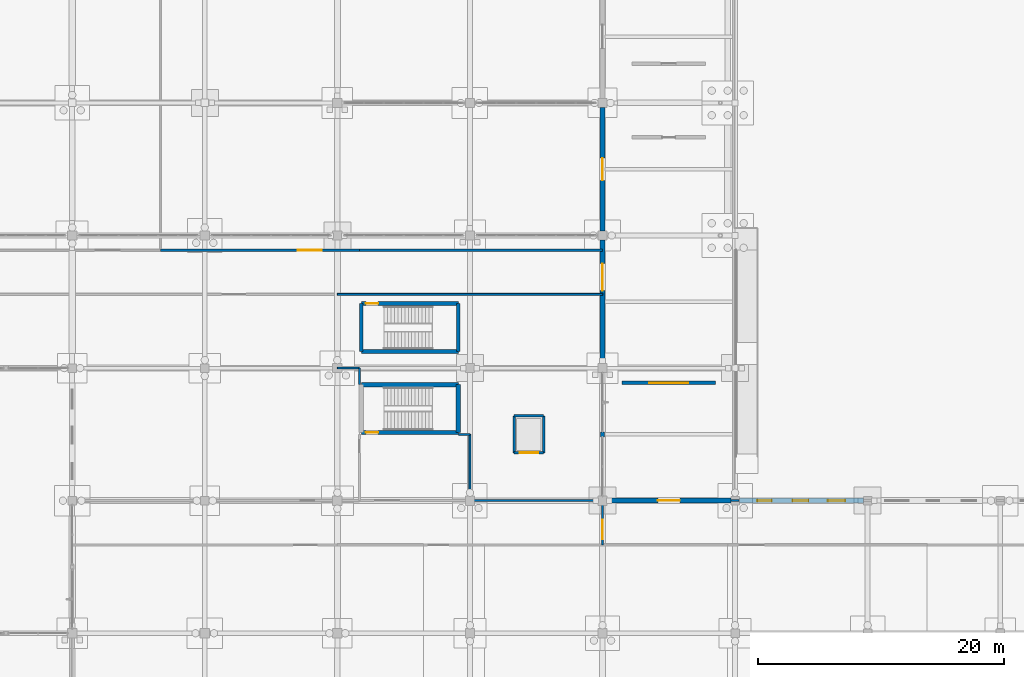
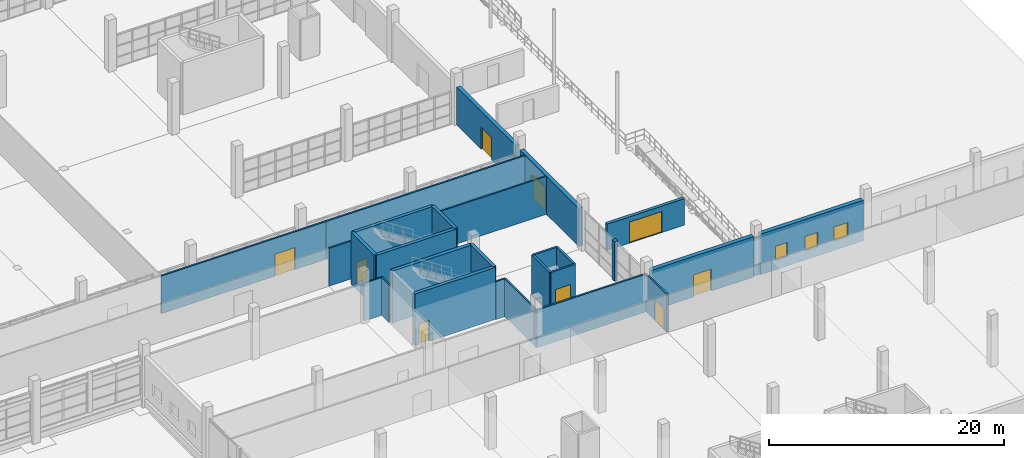
# One storey, part 110 of 138: 27 walls, 9 doors, 3 windows, 12 openings.
"""IFC4 building model written with IfcOpenShell, lengths in metres."""

from ifc_helpers import new_model, si_unit, direction, frame, frame_2d, origin, place, context, subcontext, project, spatial, rectangle, extrude, material, layer, layer_set, type_object, element, fill, save


model = new_model("IFC4")

# Units and contexts
model_context = context("Model", 3, precision=1e-05, world=origin(), true_north=direction((0.0, 1.0)))
body_context = subcontext(model_context, "Body", "Model", "MODEL_VIEW")
ifc_project = project(units=[si_unit("LENGTHUNIT", "METRE"), si_unit("AREAUNIT", "SQUARE_METRE"), si_unit("VOLUMEUNIT", "CUBIC_METRE"), si_unit("PLANEANGLEUNIT", "RADIAN"), si_unit("MASSUNIT", "GRAM", prefix="KILO")], contexts=[model_context])

# Site, building, storey
site_placement = place(None, origin())
site = spatial("IfcSite", under=ifc_project, at=site_placement, CompositionType="ELEMENT")
building_placement = place(site_placement, origin())
building = spatial("IfcBuilding", under=site, at=building_placement, Name="Zwinboog Wholesale Market", CompositionType="ELEMENT")
storey_placement = place(building_placement, origin())
storey = spatial("IfcBuildingStorey", under=building, at=storey_placement, Name="L00", CompositionType="ELEMENT", Elevation=0.0)

# Wall, opening, door
ifc_material_1 = material(Name="Precast concrete C45/55", Category="concrete")
ifc_layer_1 = layer(ifc_material_1, 0.3701171875)
ifc_layer_set_1 = layer_set([ifc_layer_1], Name="Precast concrete C45/55")
wall_type_1 = type_object("IfcWallType", Name="WT-EW-370", PredefinedType="STANDARD", material=ifc_layer_set_1)
wall_1_placement = place(storey_placement, frame((172.800048828125, 54.3701171875, 0.0), z_axis=(0.0, 0.0, 1.0), x_axis=(0.0, 1.0, 0.0)))
wall_1 = element("IfcWall", 1, at=wall_1_placement, inside=storey, type_object=wall_type_1, Name="EW-01 (WL-EW-L00-062)", PredefinedType="STANDARD", context=body_context, shape_type="SweptSolid", body=[
    extrude(rectangle(XDim=10.059814453125, YDim=0.3701171875, at=frame_2d((5.02978515625, 0.0))), origin(), (0.0, 0.0, 1.0), 3.97509765625),
])
opening_1_placement = place(wall_1_placement, frame((4.1298828125, 0.0, 0.0)))
opening_1 = element("IfcOpeningElement", 2, at=opening_1_placement, cuts=wall_1, Name="Opening EX-12", PredefinedType="OPENING", context=body_context, shape_type="SweptSolid", body=[
    extrude(rectangle(XDim=1.800048828125, YDim=2.300048828125, at=frame_2d((0.89990234375, 1.14990234375))), frame((0.0, 0.195068359375, 0.0), z_axis=(0.0, -1.0, 0.0), x_axis=(1.0, 0.0, 0.0)), (0.0, 0.0, 1.0), 0.39013671875),
])
ifc_material_2 = material(Name="Insulated powder-coated steel and aluminium door", Category="steel")
door_type_1 = type_object("IfcDoorType", Name="EDT-EX-180", OperationType="DOUBLE_DOOR_SINGLE_SWING", PredefinedType="DOOR", material=ifc_material_2)
door_1_placement = place(opening_1_placement, frame((1.800048828125, 0.0, 0.0), z_axis=(0.0, 0.0, 1.0), x_axis=(-1.0, 0.0, 0.0)))
door_1 = element("IfcDoor", 3, at=door_1_placement, inside=storey, type_object=door_type_1, Name="Pedestrian Exit Door EX-12", OperationType="DOUBLE_DOOR_SINGLE_SWING", OverallHeight=2.300048828125, OverallWidth=1.800048828125, PredefinedType="DOOR", context=body_context, shape_type="SweptSolid", body=[
    extrude(rectangle(XDim=1.800048828125, YDim=2.300048828125, at=frame_2d((0.89990234375, 1.14990234375))), frame((0.0, 0.02490234375, 0.0), z_axis=(0.0, -1.0, 0.0), x_axis=(1.0, 0.0, 0.0)), (0.0, 0.0, 1.0), 0.050048828125),
])
fill(opening_1, door_1)

ifc_layer_2 = layer(ifc_material_1, 0.389892578125)
ifc_layer_set_2 = layer_set([ifc_layer_2], Name="Precast concrete C45/55")
wall_type_2 = type_object("IfcWallType", Name="WT-EW-390", PredefinedType="STANDARD", material=ifc_layer_set_2)
wall_2_placement = place(storey_placement, frame((172.800048828125, 43.570068359375, 0.0), z_axis=(0.0, 0.0, 1.0), x_axis=(0.0, 1.0, 0.0)))
wall_2 = element("IfcWall", 4, at=wall_2_placement, inside=storey, type_object=wall_type_2, Name="EW-02 (WL-EW-L00-061)", PredefinedType="STANDARD", context=body_context, shape_type="SweptSolid", body=[
    extrude(rectangle(XDim=10.059814453125, YDim=0.389892578125, at=frame_2d((5.02978515625, 0.0))), origin(), (0.0, 0.0, 1.0), 3.97509765625),
])
opening_2_placement = place(wall_2_placement, frame((5.947021484375, 0.0, 0.0)))
opening_2 = element("IfcOpeningElement", 5, at=opening_2_placement, cuts=wall_2, Name="Opening EX-11", PredefinedType="OPENING", context=body_context, shape_type="SweptSolid", body=[
    extrude(rectangle(XDim=2.199951171875, YDim=2.47998046875, at=frame_2d((1.10009765625, 1.239990234375))), frame((0.0, 0.204833984375, 0.0), z_axis=(0.0, -1.0, 0.0), x_axis=(1.0, 0.0, 0.0)), (0.0, 0.0, 1.0), 0.409912109375),
])
door_type_2 = type_object("IfcDoorType", Name="EDT-EX-220", OperationType="DOUBLE_DOOR_SINGLE_SWING", PredefinedType="DOOR", material=ifc_material_2)
door_2_placement = place(opening_2_placement, frame((2.199951171875, 0.0, 0.0), z_axis=(0.0, 0.0, 1.0), x_axis=(-1.0, 0.0, 0.0)))
door_2 = element("IfcDoor", 6, at=door_2_placement, inside=storey, type_object=door_type_2, Name="Pedestrian Exit Door EX-11", OperationType="DOUBLE_DOOR_SINGLE_SWING", OverallHeight=2.47998046875, OverallWidth=2.199951171875, PredefinedType="DOOR", context=body_context, shape_type="SweptSolid", body=[
    extrude(rectangle(XDim=2.199951171875, YDim=2.47998046875, at=frame_2d((1.10009765625, 1.239990234375))), frame((0.0, 0.02490234375, 0.0), z_axis=(0.0, -1.0, 0.0), x_axis=(1.0, 0.0, 0.0)), (0.0, 0.0, 1.0), 0.050048828125),
])
fill(opening_2, door_2)

ifc_layer_3 = layer(ifc_material_1, 0.409912109375)
ifc_layer_set_3 = layer_set([ifc_layer_3], Name="Precast concrete C45/55")
wall_type_3 = type_object("IfcWallType", Name="WT-EW-410", PredefinedType="STANDARD", material=ifc_layer_set_3)
wall_3_placement = place(storey_placement, frame((173.169921875, 32.39990234375, 0.0), z_axis=(0.0, 0.0, 1.0), x_axis=(1.0, 0.0, 0.0)))
wall_3 = element("IfcWall", 7, at=wall_3_placement, inside=storey, type_object=wall_type_3, Name="EW-03 (WL-EW-L00-068)", PredefinedType="STANDARD", context=body_context, shape_type="SweptSolid", body=[
    extrude(rectangle(XDim=10.0849609375, YDim=0.409912109375, at=frame_2d((5.04248046875, 0.0))), origin(), (0.0, 0.0, 1.0), 4.22509765625),
])
opening_3_placement = place(wall_3_placement, frame((4.142578125, 0.0, 0.0)))
opening_3 = element("IfcOpeningElement", 8, at=opening_3_placement, cuts=wall_3, Name="Opening EX-16", PredefinedType="OPENING", context=body_context, shape_type="SweptSolid", body=[
    extrude(rectangle(XDim=1.800048828125, YDim=2.300048828125, at=frame_2d((0.89990234375, 1.14990234375))), frame((0.0, 0.21484375, 0.0), z_axis=(0.0, -1.0, 0.0), x_axis=(1.0, 0.0, 0.0)), (0.0, 0.0, 1.0), 0.429931640625),
])
door_3_placement = place(opening_3_placement, origin())
door_3 = element("IfcDoor", 9, at=door_3_placement, inside=storey, type_object=door_type_1, Name="Pedestrian Exit Door EX-16", OperationType="DOUBLE_DOOR_SINGLE_SWING", OverallHeight=2.300048828125, OverallWidth=1.800048828125, PredefinedType="DOOR", context=body_context, shape_type="SweptSolid", body=[
    extrude(rectangle(XDim=1.800048828125, YDim=2.300048828125, at=frame_2d((0.89990234375, 1.14990234375))), frame((0.0, 0.02490234375, 0.0), z_axis=(0.0, -1.0, 0.0), x_axis=(1.0, 0.0, 0.0)), (0.0, 0.0, 1.0), 0.050048828125),
])
fill(opening_3, door_3)

# Wall, openings, windows
wall_4_placement = place(storey_placement, frame((183.945068359375, 32.39990234375, 0.0), z_axis=(0.0, 0.0, 1.0), x_axis=(1.0, 0.0, 0.0)))
wall_4 = element("IfcWall", 10, at=wall_4_placement, inside=storey, type_object=wall_type_3, Name="EW-03 (WL-EW-L00-072)", PredefinedType="STANDARD", context=body_context, shape_type="SweptSolid", body=[
    extrude(rectangle(XDim=10.10986328125, YDim=0.409912109375, at=frame_2d((5.054931640625, 0.0))), origin(), (0.0, 0.0, 1.0), 4.22509765625),
])
opening_4_placement = place(wall_4_placement, frame((1.465087890625, 0.0, 0.949951171875)))
opening_4 = element("IfcOpeningElement", 11, at=opening_4_placement, cuts=wall_4, Name="Opening WN-34", PredefinedType="OPENING", context=body_context, shape_type="SweptSolid", body=[
    extrude(rectangle(XDim=1.169921875, YDim=1.5, at=frame_2d((0.5849609375, 0.75))), frame((0.0, 0.21484375, 0.0), z_axis=(0.0, -1.0, 0.0), x_axis=(1.0, 0.0, 0.0)), (0.0, 0.0, 1.0), 0.429931640625),
])
opening_5_placement = place(wall_4_placement, frame((4.3349609375, 0.0, 0.949951171875)))
opening_5 = element("IfcOpeningElement", 12, at=opening_5_placement, cuts=wall_4, Name="Opening WN-35", PredefinedType="OPENING", context=body_context, shape_type="SweptSolid", body=[
    extrude(rectangle(XDim=1.2900390625, YDim=1.5, at=frame_2d((0.64501953125, 0.75))), frame((0.0, 0.21484375, 0.0), z_axis=(0.0, -1.0, 0.0), x_axis=(1.0, 0.0, 0.0)), (0.0, 0.0, 1.0), 0.429931640625),
])
opening_6_placement = place(wall_4_placement, frame((7.205078125, 0.0, 0.949951171875)))
opening_6 = element("IfcOpeningElement", 13, at=opening_6_placement, cuts=wall_4, Name="Opening WN-36", PredefinedType="OPENING", context=body_context, shape_type="SweptSolid", body=[
    extrude(rectangle(XDim=1.409912109375, YDim=1.5, at=frame_2d((0.705078125, 0.75))), frame((0.0, 0.21484375, 0.0), z_axis=(0.0, -1.0, 0.0), x_axis=(1.0, 0.0, 0.0)), (0.0, 0.0, 1.0), 0.429931640625),
])
ifc_material_3 = material(Name="Thermally broken aluminium low-e window", Category="aluminium")
window_type_1 = type_object("IfcWindowType", Name="WNT-34", PartitioningType="SINGLE_PANEL", PredefinedType="WINDOW", material=ifc_material_3)
window_1_placement = place(opening_4_placement, origin())
window_1 = element("IfcWindow", 14, at=window_1_placement, inside=storey, type_object=window_type_1, Name="WN-34 (WIN-L00-0034)", OverallHeight=1.5, OverallWidth=1.169921875, PartitioningType="SINGLE_PANEL", PredefinedType="WINDOW", context=body_context, shape_type="SweptSolid", body=[
    extrude(rectangle(XDim=1.169921875, YDim=1.5, at=frame_2d((0.5849609375, 0.75))), frame((0.0, 0.030029296875, 0.0), z_axis=(0.0, -1.0, 0.0), x_axis=(1.0, 0.0, 0.0)), (0.0, 0.0, 1.0), 0.06005859375),
])
fill(opening_4, window_1)
window_type_2 = type_object("IfcWindowType", Name="WNT-35", PartitioningType="SINGLE_PANEL", PredefinedType="WINDOW", material=ifc_material_3)
window_2_placement = place(opening_5_placement, origin())
window_2 = element("IfcWindow", 15, at=window_2_placement, inside=storey, type_object=window_type_2, Name="WN-35 (WIN-L00-0035)", OverallHeight=1.5, OverallWidth=1.2900390625, PartitioningType="SINGLE_PANEL", PredefinedType="WINDOW", context=body_context, shape_type="SweptSolid", body=[
    extrude(rectangle(XDim=1.2900390625, YDim=1.5, at=frame_2d((0.64501953125, 0.75))), frame((0.0, 0.030029296875, 0.0), z_axis=(0.0, -1.0, 0.0), x_axis=(1.0, 0.0, 0.0)), (0.0, 0.0, 1.0), 0.06005859375),
])
fill(opening_5, window_2)
window_type_3 = type_object("IfcWindowType", Name="WNT-36", PartitioningType="SINGLE_PANEL", PredefinedType="WINDOW", material=ifc_material_3)
window_3_placement = place(opening_6_placement, origin())
window_3 = element("IfcWindow", 16, at=window_3_placement, inside=storey, type_object=window_type_3, Name="WN-36 (WIN-L00-0036)", OverallHeight=1.5, OverallWidth=1.409912109375, PartitioningType="SINGLE_PANEL", PredefinedType="WINDOW", context=body_context, shape_type="SweptSolid", body=[
    extrude(rectangle(XDim=1.409912109375, YDim=1.5, at=frame_2d((0.705078125, 0.75))), frame((0.0, 0.030029296875, 0.0), z_axis=(0.0, -1.0, 0.0), x_axis=(1.0, 0.0, 0.0)), (0.0, 0.0, 1.0), 0.06005859375),
])
fill(opening_6, window_3)

# Wall
ifc_layer_4 = layer(ifc_material_1, 0.304931640625)
ifc_layer_set_4 = layer_set([ifc_layer_4], Name="Precast concrete C45/55")
wall_type_4 = type_object("IfcWallType", Name="WT-EW-305", PredefinedType="STANDARD", material=ifc_layer_set_4)
wall_5_placement = place(storey_placement, frame((172.800048828125, 37.60009765625, 0.0), z_axis=(0.0, 0.0, 1.0), x_axis=(0.0, 1.0, 0.0)))
element("IfcWall", 17, at=wall_5_placement, inside=storey, type_object=wall_type_4, Name="EW-07 (WL-PIER-L00-060)", PredefinedType="STANDARD", context=body_context, shape_type="SweptSolid", body=[
    extrude(rectangle(XDim=0.39990234375, YDim=0.304931640625, at=frame_2d((0.199951171875, 0.0))), origin(), (0.0, 0.0, 1.0), 4.125),
])

# Wall, opening, door
wall_6_placement = place(storey_placement, frame((174.39990234375, 42.0, 0.0), z_axis=(0.0, 0.0, 1.0), x_axis=(1.0, 0.0, 0.0)))
wall_6 = element("IfcWall", 18, at=wall_6_placement, inside=storey, type_object=wall_type_4, Name="EW-07 (WL-YGT-04)", PredefinedType="STANDARD", context=body_context, shape_type="SweptSolid", body=[
    extrude(rectangle(XDim=7.60009765625, YDim=0.304931640625, at=frame_2d((3.800048828125, 0.0))), origin(), (0.0, 0.0, 1.0), 2.75),
])
opening_7_placement = place(wall_6_placement, frame((2.199951171875, 0.0, 0.0)))
opening_7 = element("IfcOpeningElement", 19, at=opening_7_placement, cuts=wall_6, Name="Opening GT-04", PredefinedType="OPENING", context=body_context, shape_type="SweptSolid", body=[
    extrude(rectangle(XDim=3.199951171875, YDim=2.199951171875, at=frame_2d((1.60009765625, 1.10009765625))), frame((0.0, 0.162353515625, 0.0), z_axis=(0.0, -1.0, 0.0), x_axis=(1.0, 0.0, 0.0)), (0.0, 0.0, 1.0), 0.324951171875),
])
door_type_3 = type_object("IfcDoorType", Name="EDT-GT-320", OperationType="DOUBLE_DOOR_SINGLE_SWING", PredefinedType="GATE", material=ifc_material_2)
door_4_placement = place(opening_7_placement, origin())
door_4 = element("IfcDoor", 20, at=door_4_placement, inside=storey, type_object=door_type_3, Name="Forecourt Arrival Gate GT-04", OperationType="DOUBLE_DOOR_SINGLE_SWING", OverallHeight=2.199951171875, OverallWidth=3.199951171875, PredefinedType="GATE", context=body_context, shape_type="SweptSolid", body=[
    extrude(rectangle(XDim=3.199951171875, YDim=2.199951171875, at=frame_2d((1.60009765625, 1.10009765625))), frame((0.0, 0.02490234375, 0.0), z_axis=(0.0, -1.0, 0.0), x_axis=(1.0, 0.0, 0.0)), (0.0, 0.0, 1.0), 0.050048828125),
])
fill(opening_7, door_4)

# Wall
ifc_material_4 = material(Name="Concrete C40/50", Category="concrete")
ifc_layer_5 = layer(ifc_material_4, 0.320068359375)
ifc_layer_set_5 = layer_set([ifc_layer_5], Name="Concrete C40/50")
wall_type_5 = type_object("IfcWallType", Name="WT-SW-320", PredefinedType="SHEAR", material=ifc_layer_set_5)
wall_7_placement = place(storey_placement, frame((153.14990234375, 44.550048828125, 0.0), z_axis=(0.0, 0.0, 1.0), x_axis=(1.0, 0.0, 0.0)))
element("IfcWall", 21, at=wall_7_placement, inside=storey, type_object=wall_type_5, Name="SW-03 (WL-SW-L00-153)", PredefinedType="SHEAR", context=body_context, shape_type="SweptSolid", body=[
    extrude(rectangle(XDim=7.900146484375, YDim=0.320068359375, at=frame_2d((3.9501953125, 0.0))), origin(), (0.0, 0.0, 1.0), 5.39990234375),
])

# Wall, opening, door
wall_8_placement = place(storey_placement, frame((153.14990234375, 48.449951171875, 0.0), z_axis=(0.0, 0.0, 1.0), x_axis=(1.0, 0.0, 0.0)))
wall_8 = element("IfcWall", 22, at=wall_8_placement, inside=storey, type_object=wall_type_5, Name="SW-03 (WL-SW-L00-154)", PredefinedType="SHEAR", context=body_context, shape_type="SweptSolid", body=[
    extrude(rectangle(XDim=7.900146484375, YDim=0.320068359375, at=frame_2d((3.9501953125, 0.0))), origin(), (0.0, 0.0, 1.0), 5.39990234375),
])
opening_8_placement = place(wall_8_placement, frame((0.3798828125, 0.0, 0.0)))
opening_8 = element("IfcOpeningElement", 23, at=opening_8_placement, cuts=wall_8, Name="Opening FD-0039", PredefinedType="OPENING", context=body_context, shape_type="SweptSolid", body=[
    extrude(rectangle(XDim=1.0, YDim=2.14990234375, at=frame_2d((0.5, 1.074951171875))), frame((0.0, 0.169921875, 0.0), z_axis=(0.0, -1.0, 0.0), x_axis=(1.0, 0.0, 0.0)), (0.0, 0.0, 1.0), 0.340087890625),
])
ifc_material_5 = material(Name="Timber and powder-coated steel door leaf", Category="steel")
door_type_4 = type_object("IfcDoorType", Name="IDT-FD-01", OperationType="NOTDEFINED", PredefinedType="DOOR", material=ifc_material_5)
door_5_placement = place(opening_8_placement, frame((1.0, 0.0, 0.0), z_axis=(0.0, 0.0, 1.0), x_axis=(-1.0, 0.0, 0.0)))
door_5 = element("IfcDoor", 24, at=door_5_placement, inside=storey, type_object=door_type_4, Name="Core Fire Door FD-0039", OperationType="SINGLE_SWING_RIGHT", OverallHeight=2.14990234375, OverallWidth=1.0, PredefinedType="DOOR", context=body_context, shape_type="SweptSolid", body=[
    extrude(rectangle(XDim=1.0, YDim=2.14990234375, at=frame_2d((0.5, 1.074951171875))), frame((0.0, 0.02490234375, 0.0), z_axis=(0.0, -1.0, 0.0), x_axis=(1.0, 0.0, 0.0)), (0.0, 0.0, 1.0), 0.050048828125),
])
fill(opening_8, door_5)

# Walls
for number, where, z_axis, x_axis, name in (
    (25, (153.14990234375, 44.550048828125, 0.0), (0.0, 0.0, 1.0), (0.0, 1.0, 0.0), "SW-03 (WL-SW-L00-155)"),
    (26, (161.050048828125, 44.550048828125, 0.0), (0.0, 0.0, 1.0), (0.0, 1.0, 0.0), "SW-03 (WL-SW-L00-156)"),
):
    element("IfcWall", number, at=place(storey_placement, frame(where, z_axis=z_axis, x_axis=x_axis)), inside=storey, type_object=wall_type_5, Name=name, PredefinedType="SHEAR", context=body_context, shape_type="SweptSolid", body=[
        extrude(rectangle(XDim=3.89990234375, YDim=0.320068359375, at=frame_2d((1.949951171875, 0.0))), origin(), (0.0, 0.0, 1.0), 5.39990234375),
    ])

# Wall, opening, door
ifc_layer_6 = layer(ifc_material_4, 0.35009765625)
ifc_layer_set_6 = layer_set([ifc_layer_6], Name="Concrete C40/50")
wall_type_6 = type_object("IfcWallType", Name="WT-SW-350", PredefinedType="SHEAR", material=ifc_layer_set_6)
wall_9_placement = place(storey_placement, frame((153.14990234375, 37.949951171875, 0.0), z_axis=(0.0, 0.0, 1.0), x_axis=(1.0, 0.0, 0.0)))
wall_9 = element("IfcWall", 27, at=wall_9_placement, inside=storey, type_object=wall_type_6, Name="SW-04 (WL-SW-L00-113)", PredefinedType="SHEAR", context=body_context, shape_type="SweptSolid", body=[
    extrude(rectangle(XDim=7.900146484375, YDim=0.35009765625, at=frame_2d((3.9501953125, 0.0))), origin(), (0.0, 0.0, 1.0), 5.39990234375),
])
opening_9_placement = place(wall_9_placement, frame((0.3798828125, 0.0, 0.0)))
opening_9 = element("IfcOpeningElement", 28, at=opening_9_placement, cuts=wall_9, Name="Opening FD-0029", PredefinedType="OPENING", context=body_context, shape_type="SweptSolid", body=[
    extrude(rectangle(XDim=1.0, YDim=2.14990234375, at=frame_2d((0.5, 1.074951171875))), frame((0.0, 0.18505859375, 0.0), z_axis=(0.0, -1.0, 0.0), x_axis=(1.0, 0.0, 0.0)), (0.0, 0.0, 1.0), 0.3701171875),
])
door_6_placement = place(opening_9_placement, origin())
door_6 = element("IfcDoor", 29, at=door_6_placement, inside=storey, type_object=door_type_4, Name="Core Fire Door FD-0029", OperationType="SINGLE_SWING_RIGHT", OverallHeight=2.14990234375, OverallWidth=1.0, PredefinedType="DOOR", context=body_context, shape_type="SweptSolid", body=[
    extrude(rectangle(XDim=1.0, YDim=2.14990234375, at=frame_2d((0.5, 1.074951171875))), frame((0.0, 0.02490234375, 0.0), z_axis=(0.0, -1.0, 0.0), x_axis=(1.0, 0.0, 0.0)), (0.0, 0.0, 1.0), 0.050048828125),
])
fill(opening_9, door_6)

# Walls
wall_10_placement = place(storey_placement, frame((153.14990234375, 41.85009765625, 0.0), z_axis=(0.0, 0.0, 1.0), x_axis=(1.0, 0.0, 0.0)))
element("IfcWall", 30, at=wall_10_placement, inside=storey, type_object=wall_type_6, Name="SW-04 (WL-SW-L00-114)", PredefinedType="SHEAR", context=body_context, shape_type="SweptSolid", body=[
    extrude(rectangle(XDim=7.900146484375, YDim=0.35009765625, at=frame_2d((3.9501953125, 0.0))), origin(), (0.0, 0.0, 1.0), 5.39990234375),
])
wall_11_placement = place(storey_placement, frame((161.050048828125, 37.949951171875, 0.0), z_axis=(0.0, 0.0, 1.0), x_axis=(0.0, 1.0, 0.0)))
element("IfcWall", 31, at=wall_11_placement, inside=storey, type_object=wall_type_6, Name="SW-04 (WL-SW-L00-116)", PredefinedType="SHEAR", context=body_context, shape_type="SweptSolid", body=[
    extrude(rectangle(XDim=3.900146484375, YDim=0.35009765625, at=frame_2d((1.9501953125, 0.0))), origin(), (0.0, 0.0, 1.0), 5.39990234375),
])

# Wall, opening, door
ifc_layer_7 = layer(ifc_material_1, 0.179931640625)
ifc_layer_set_7 = layer_set([ifc_layer_7], Name="Precast concrete C45/55")
wall_type_7 = type_object("IfcWallType", Name="WT-IW-180", PredefinedType="PARTITIONING", material=ifc_layer_set_7)
wall_12_placement = place(storey_placement, frame((172.800048828125, 28.800048828125, 0.0), z_axis=(0.0, 0.0, 1.0), x_axis=(0.0, 1.0, 0.0)))
wall_12 = element("IfcWall", 32, at=wall_12_placement, inside=storey, type_object=wall_type_7, Name="IW-01 (WL-IN-L00-0007)", PredefinedType="PARTITIONING", context=body_context, shape_type="SweptSolid", body=[
    extrude(rectangle(XDim=3.599853515625, YDim=0.179931640625, at=frame_2d((1.7998046875, 0.0))), origin(), (0.0, 0.0, 1.0), 3.949951171875),
])
opening_10_placement = place(wall_12_placement, frame((0.4599609375, 0.0, 0.0)))
opening_10 = element("IfcOpeningElement", 33, at=opening_10_placement, cuts=wall_12, Name="Opening IDF-0007", PredefinedType="OPENING", context=body_context, shape_type="SweptSolid", body=[
    extrude(rectangle(XDim=1.60009765625, YDim=2.199951171875, at=frame_2d((0.800048828125, 1.10009765625))), frame((0.0, 0.099853515625, 0.0), z_axis=(0.0, -1.0, 0.0), x_axis=(1.0, 0.0, 0.0)), (0.0, 0.0, 1.0), 0.199951171875),
])
door_type_5 = type_object("IfcDoorType", Name="IDT-FD-03", OperationType="DOUBLE_DOOR_SINGLE_SWING", PredefinedType="DOOR", material=ifc_material_5)
door_7_placement = place(opening_10_placement, origin())
door_7 = element("IfcDoor", 34, at=door_7_placement, inside=storey, type_object=door_type_5, Name="Interior Door IDF-0007", OperationType="DOUBLE_DOOR_SINGLE_SWING", OverallHeight=2.199951171875, OverallWidth=1.60009765625, PredefinedType="DOOR", context=body_context, shape_type="SweptSolid", body=[
    extrude(rectangle(XDim=1.60009765625, YDim=2.199951171875, at=frame_2d((0.800048828125, 1.10009765625))), frame((0.0, 0.02490234375, 0.0), z_axis=(0.0, -1.0, 0.0), x_axis=(1.0, 0.0, 0.0)), (0.0, 0.0, 1.0), 0.050048828125),
])
fill(opening_10, door_7)

ifc_layer_8 = layer(ifc_material_1, 0.199951171875)
ifc_layer_set_8 = layer_set([ifc_layer_8], Name="Precast concrete C45/55")
wall_type_8 = type_object("IfcWallType", Name="WT-IW-200", PredefinedType="SOLIDWALL", material=ifc_layer_set_8)
wall_13_placement = place(storey_placement, frame((165.60009765625, 36.300048828125, 0.0), z_axis=(0.0, 0.0, 1.0), x_axis=(1.0, 0.0, 0.0)))
wall_13 = element("IfcWall", 35, at=wall_13_placement, inside=storey, type_object=wall_type_8, Name="IW-60 (WL-LSH-L00-253)", PredefinedType="SOLIDWALL", context=body_context, shape_type="SweptSolid", body=[
    extrude(rectangle(XDim=2.39990234375, YDim=0.199951171875, at=frame_2d((1.199951171875, 0.0))), origin(), (0.0, 0.0, 1.0), 4.219970703125),
])
opening_11_placement = place(wall_13_placement, frame((0.449951171875, 0.0, 0.0)))
opening_11 = element("IfcOpeningElement", 36, at=opening_11_placement, cuts=wall_13, Name="Opening LD-022", PredefinedType="OPENING", context=body_context, shape_type="SweptSolid", body=[
    extrude(rectangle(XDim=1.5, YDim=2.300048828125, at=frame_2d((0.75, 1.14990234375))), frame((0.0, 0.10986328125, 0.0), z_axis=(0.0, -1.0, 0.0), x_axis=(1.0, 0.0, 0.0)), (0.0, 0.0, 1.0), 0.219970703125),
])
door_type_6 = type_object("IfcDoorType", Name="IDT-LD-150", OperationType="DOUBLE_DOOR_SLIDING", PredefinedType="DOOR", material=ifc_material_5)
door_8_placement = place(opening_11_placement, origin())
door_8 = element("IfcDoor", 37, at=door_8_placement, inside=storey, type_object=door_type_6, Name="Lift Landing Door LD-022 (LG-04)", OperationType="DOUBLE_DOOR_SLIDING", OverallHeight=2.300048828125, OverallWidth=1.5, PredefinedType="DOOR", context=body_context, shape_type="SweptSolid", body=[
    extrude(rectangle(XDim=1.5, YDim=2.300048828125, at=frame_2d((0.75, 1.14990234375))), frame((0.0, 0.02490234375, 0.0), z_axis=(0.0, -1.0, 0.0), x_axis=(1.0, 0.0, 0.0)), (0.0, 0.0, 1.0), 0.050048828125),
])
fill(opening_11, door_8)

# Walls
wall_14_placement = place(storey_placement, frame((165.60009765625, 39.300048828125, 0.0), z_axis=(0.0, 0.0, 1.0), x_axis=(1.0, 0.0, 0.0)))
element("IfcWall", 38, at=wall_14_placement, inside=storey, type_object=wall_type_8, Name="IW-60 (WL-LSH-L00-254)", PredefinedType="SOLIDWALL", context=body_context, shape_type="SweptSolid", body=[
    extrude(rectangle(XDim=2.39990234375, YDim=0.199951171875, at=frame_2d((1.199951171875, 0.0))), origin(), (0.0, 0.0, 1.0), 4.219970703125),
])
for number, where, z_axis, x_axis, name in (
    (39, (165.60009765625, 36.300048828125, 0.0), (0.0, 0.0, 1.0), (0.0, 1.0, 0.0), "IW-60 (WL-LSH-L00-255)"),
    (40, (168.0, 36.300048828125, 0.0), (0.0, 0.0, 1.0), (0.0, 1.0, 0.0), "IW-60 (WL-LSH-L00-256)"),
):
    element("IfcWall", number, at=place(storey_placement, frame(where, z_axis=z_axis, x_axis=x_axis)), inside=storey, type_object=wall_type_8, Name=name, PredefinedType="SOLIDWALL", context=body_context, shape_type="SweptSolid", body=[
        extrude(rectangle(XDim=3.0, YDim=0.199951171875, at=frame_2d((1.5, 0.0))), origin(), (0.0, 0.0, 1.0), 4.219970703125),
    ])
ifc_material_6 = material(Name="Hygienic washable stud partition")
ifc_layer_9 = layer(ifc_material_6, 0.137939453125)
ifc_layer_set_9 = layer_set([ifc_layer_9], Name="Hygienic washable stud partition")
wall_type_9 = type_object("IfcWallType", Name="WT-PT-138", PredefinedType="PARTITIONING", material=ifc_layer_set_9)
wall_15_placement = place(storey_placement, frame((151.199951171875, 43.199951171875, 0.0), z_axis=(0.0, 0.0, 1.0), x_axis=(1.0, 0.0, 0.0)))
element("IfcWall", 41, at=wall_15_placement, inside=storey, type_object=wall_type_9, Name="PW-03 (WL-IN-L00-0090)", PredefinedType="PARTITIONING", context=body_context, shape_type="SweptSolid", body=[
    extrude(rectangle(XDim=1.800048828125, YDim=0.137939453125, at=frame_2d((0.89990234375, 0.0))), origin(), (0.0, 0.0, 1.0), 3.949951171875),
])
wall_16_placement = place(storey_placement, frame((153.0, 41.8701171875, 0.0), z_axis=(0.0, 0.0, 1.0), x_axis=(0.0, 1.0, 0.0)))
element("IfcWall", 42, at=wall_16_placement, inside=storey, type_object=wall_type_9, Name="PW-03 (WL-IN-L00-0093)", PredefinedType="PARTITIONING", context=body_context, shape_type="SweptSolid", body=[
    extrude(rectangle(XDim=1.329833984375, YDim=0.137939453125, at=frame_2d((0.6650390625, 0.0))), origin(), (0.0, 0.0, 1.0), 3.949951171875),
])
ifc_material_7 = material(Name="Fire-rated corridor stud partition")
ifc_layer_10 = layer(ifc_material_7, 0.154052734375)
ifc_layer_set_10 = layer_set([ifc_layer_10], Name="Fire-rated corridor stud partition")
wall_type_10 = type_object("IfcWallType", Name="WT-PT-154", PredefinedType="PARTITIONING", material=ifc_layer_set_10)
wall_17_placement = place(storey_placement, frame((151.199951171875, 49.199951171875, 0.0), z_axis=(0.0, 0.0, 1.0), x_axis=(1.0, 0.0, 0.0)))
element("IfcWall", 43, at=wall_17_placement, inside=storey, type_object=wall_type_10, Name="PW-04 (WL-IN-L00-0091)", PredefinedType="PARTITIONING", context=body_context, shape_type="SweptSolid", body=[
    extrude(rectangle(XDim=21.60009765625, YDim=0.154052734375, at=frame_2d((10.800048828125, 0.0))), origin(), (0.0, 0.0, 1.0), 3.949951171875),
])
wall_18_placement = place(storey_placement, frame((162.0, 32.39990234375, 0.0), z_axis=(0.0, 0.0, 1.0), x_axis=(0.0, 1.0, 0.0)))
element("IfcWall", 44, at=wall_18_placement, inside=storey, type_object=wall_type_10, Name="PW-04 (WL-IN-L00-0099)", PredefinedType="PARTITIONING", context=body_context, shape_type="SweptSolid", body=[
    extrude(rectangle(XDim=5.400146484375, YDim=0.154052734375, at=frame_2d((2.7001953125, 0.0))), origin(), (0.0, 0.0, 1.0), 3.949951171875),
])

# Wall, opening, door
ifc_material_8 = material(Name="Laboratory acoustic partition")
ifc_layer_11 = layer(ifc_material_8, 0.16796875)
ifc_layer_set_11 = layer_set([ifc_layer_11], Name="Laboratory acoustic partition")
wall_type_11 = type_object("IfcWallType", Name="WT-PT-168", PredefinedType="PARTITIONING", material=ifc_layer_set_11)
wall_19_placement = place(storey_placement, frame((136.800048828125, 52.800048828125, 0.0), z_axis=(0.0, 0.0, 1.0), x_axis=(1.0, 0.0, 0.0)))
wall_19 = element("IfcWall", 45, at=wall_19_placement, inside=storey, type_object=wall_type_11, Name="PW-05 (WL-IN-L00-0032)", PredefinedType="PARTITIONING", context=body_context, shape_type="SweptSolid", body=[
    extrude(rectangle(XDim=16.199951171875, YDim=0.16796875, at=frame_2d((8.10009765625, 0.0))), origin(), (0.0, 0.0, 1.0), 3.949951171875),
])
opening_12_placement = place(wall_19_placement, frame((11.169921875, 0.0, 0.0)))
opening_12 = element("IfcOpeningElement", 46, at=opening_12_placement, cuts=wall_19, Name="Opening IDF-0029", PredefinedType="OPENING", context=body_context, shape_type="SweptSolid", body=[
    extrude(rectangle(XDim=1.9599609375, YDim=2.300048828125, at=frame_2d((0.97998046875, 1.14990234375))), frame((0.0, 0.093994140625, 0.0), z_axis=(0.0, -1.0, 0.0), x_axis=(1.0, 0.0, 0.0)), (0.0, 0.0, 1.0), 0.18798828125),
])
door_type_7 = type_object("IfcDoorType", Name="IDT-FD-05", OperationType="DOUBLE_DOOR_SINGLE_SWING", PredefinedType="DOOR", material=ifc_material_5)
door_9_placement = place(opening_12_placement, origin())
door_9 = element("IfcDoor", 47, at=door_9_placement, inside=storey, type_object=door_type_7, Name="Interior Door IDF-0029", OperationType="DOUBLE_DOOR_SINGLE_SWING", OverallHeight=2.300048828125, OverallWidth=1.9599609375, PredefinedType="DOOR", context=body_context, shape_type="SweptSolid", body=[
    extrude(rectangle(XDim=1.9599609375, YDim=2.300048828125, at=frame_2d((0.97998046875, 1.14990234375))), frame((0.0, 0.02490234375, 0.0), z_axis=(0.0, -1.0, 0.0), x_axis=(1.0, 0.0, 0.0)), (0.0, 0.0, 1.0), 0.050048828125),
])
fill(opening_12, door_9)

# Walls
wall_20_placement = place(storey_placement, frame((161.070068359375, 37.800048828125, 0.0), z_axis=(0.0, 0.0, 1.0), x_axis=(1.0, 0.0, 0.0)))
element("IfcWall", 48, at=wall_20_placement, inside=storey, type_object=wall_type_11, Name="PW-05 (WL-IN-L00-0092)", PredefinedType="PARTITIONING", context=body_context, shape_type="SweptSolid", body=[
    extrude(rectangle(XDim=0.929931640625, YDim=0.16796875, at=frame_2d((0.46484375, 0.0))), origin(), (0.0, 0.0, 1.0), 3.949951171875),
])
wall_21_placement = place(storey_placement, frame((153.0, 52.800048828125, 0.0), z_axis=(0.0, 0.0, 1.0), x_axis=(1.0, 0.0, 0.0)))
element("IfcWall", 49, at=wall_21_placement, inside=storey, type_object=wall_type_11, Name="PW-05 (WL-IN-L00-0094)", PredefinedType="PARTITIONING", context=body_context, shape_type="SweptSolid", body=[
    extrude(rectangle(XDim=19.800048828125, YDim=0.16796875, at=frame_2d((9.89990234375, 0.0))), origin(), (0.0, 0.0, 1.0), 3.949951171875),
])
wall_22_placement = place(storey_placement, frame((162.0, 32.39990234375, 0.0), z_axis=(0.0, 0.0, 1.0), x_axis=(1.0, 0.0, 0.0)))
element("IfcWall", 50, at=wall_22_placement, inside=storey, type_object=wall_type_11, Name="PW-05 (WL-IN-L00-0098)", PredefinedType="PARTITIONING", context=body_context, shape_type="SweptSolid", body=[
    extrude(rectangle(XDim=10.800048828125, YDim=0.16796875, at=frame_2d((5.39990234375, 0.0))), origin(), (0.0, 0.0, 1.0), 3.949951171875),
])
wall_23_placement = place(storey_placement, frame((183.27490234375, 32.39990234375, 0.0), z_axis=(0.0, 0.0, 1.0), x_axis=(1.0, 0.0, 0.0)))
element("IfcWall", 51, at=wall_23_placement, inside=storey, type_object=wall_type_11, Name="PW-05 (WL-IN-L00-0104)", PredefinedType="PARTITIONING", context=body_context, shape_type="SweptSolid", body=[
    extrude(rectangle(XDim=0.650146484375, YDim=0.16796875, at=frame_2d((0.3251953125, 0.0))), origin(), (0.0, 0.0, 1.0), 3.949951171875),
])

save(model, "model.ifc")
